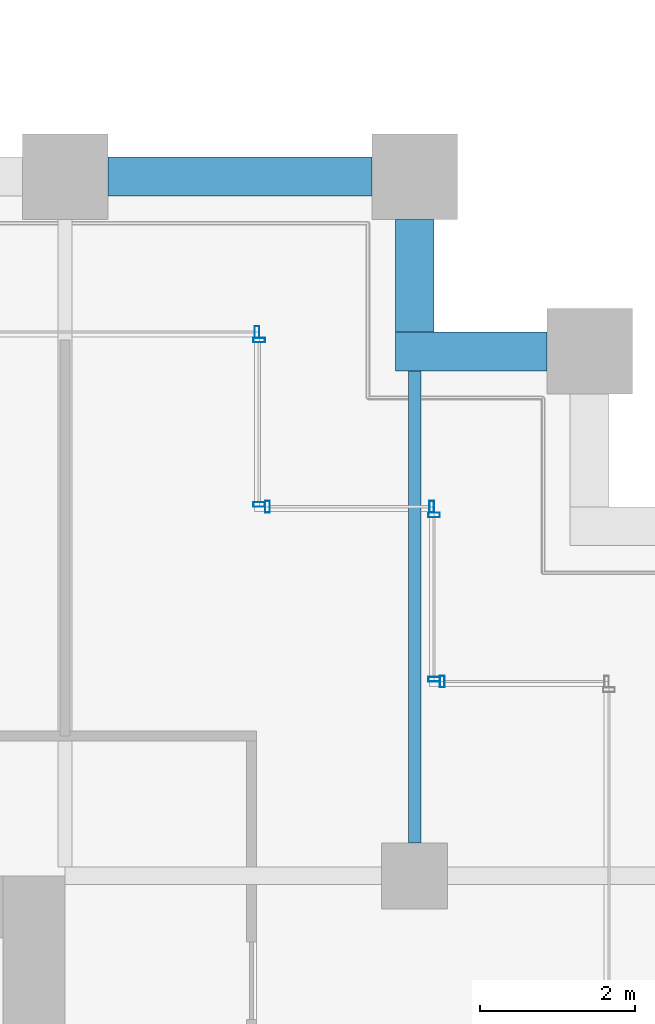
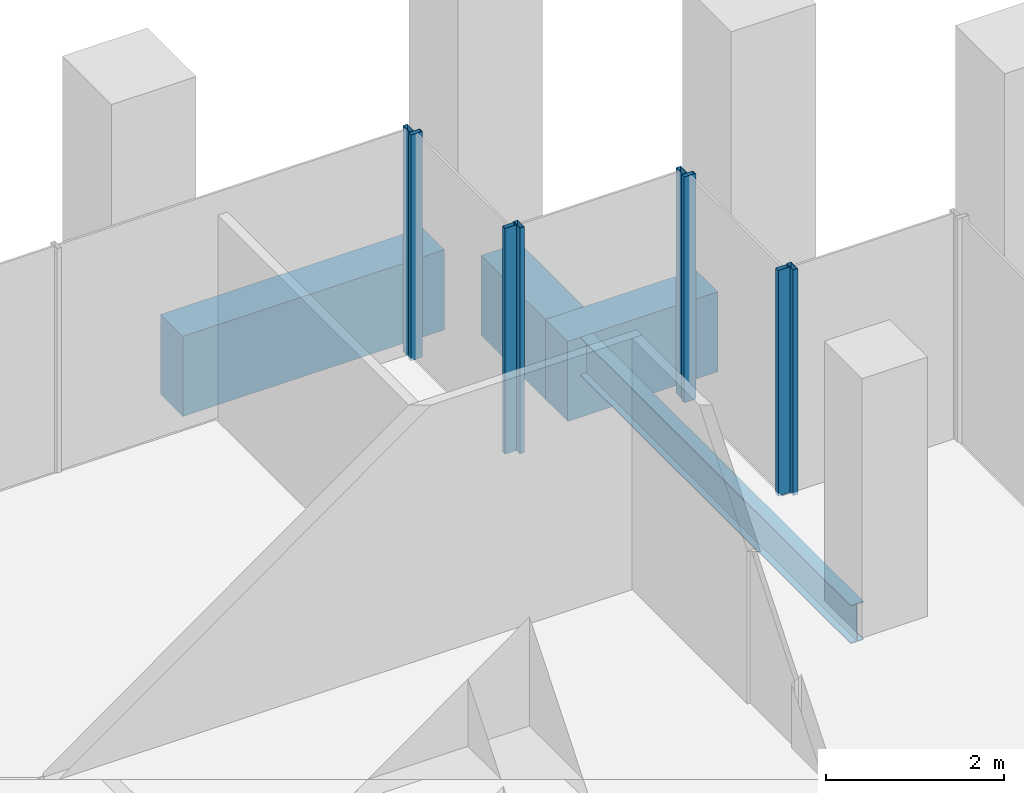
# One storey, part 45 of 54: 8 members, 4 beams, 5 elements without a shape of their own.
"""IFC4 building model written with IfcOpenShell, lengths in metres."""

from ifc_helpers import new_model, si_unit, direction, frame, origin, origin_2d, place, context, subcontext, project, spatial, rectangle, hollow_rectangle, i_section, extrude, material, material_profile, profile_set, type_object, element, aggregate, save


model = new_model("IFC4")

# Units and contexts
model_context = context("Model", 3, precision=1e-05, world=origin(), true_north=direction((0.0, 1.0)))
body_context = subcontext(model_context, "Body", "Model", "MODEL_VIEW")
ifc_project = project(units=[si_unit("LENGTHUNIT", "METRE"), si_unit("AREAUNIT", "SQUARE_METRE"), si_unit("VOLUMEUNIT", "CUBIC_METRE"), si_unit("PLANEANGLEUNIT", "RADIAN"), si_unit("MASSUNIT", "GRAM", prefix="KILO")], contexts=[model_context])

# Site, building, storey
site_placement = place(None, origin())
site = spatial("IfcSite", under=ifc_project, at=site_placement, CompositionType="ELEMENT")
building_placement = place(site_placement, origin())
building = spatial("IfcBuilding", under=site, at=building_placement, Name="Altepetl Exchange Towers", CompositionType="ELEMENT")
storey_placement = place(building_placement, frame((0.0, 0.0, 65.39990234375)))
storey = spatial("IfcBuildingStorey", under=building, at=storey_placement, Name="L15", CompositionType="ELEMENT", Elevation=65.39990234375)

# Beam
ifc_material_1 = material(Name="Steel S355", Category="steel")
ifc_material_profile_1 = material_profile(ifc_material_1, i_section(OverallWidth=0.166015625, OverallDepth=0.529052734375, WebThickness=0.009765625, FlangeThickness=0.013671875, at=origin_2d()), Name="W21X50")
ifc_profile_set_1 = profile_set([ifc_material_profile_1], Name="Steel S355")
beam_type_1 = type_object("IfcBeamType", Name="Floor beam W21X50", PredefinedType="BEAM", material=ifc_profile_set_1)
beam_1_placement = place(storey_placement, frame((121.5, 49.925048828125, -0.414306640625), z_axis=(0.0, 1.0, 0.0), x_axis=(-1.0, 0.0, 0.0)))
element("IfcBeam", 1, at=beam_1_placement, inside=storey, type_object=beam_type_1, Name="bm:B:L15:003", PredefinedType="BEAM", context=body_context, shape_type="SweptSolid", body=[
    extrude(i_section(OverallWidth=0.166015625, OverallDepth=0.529052734375, WebThickness=0.009765625, FlangeThickness=0.013671875, at=origin_2d()), origin(), (0.0, 0.0, 1.0), 6.074951171875),
])

# Curtain wall, member
ifc_material_2 = material(Name="Aluminium 6063-T6 glazing", Category="aluminium")
curtain_wall_type = type_object("IfcCurtainWallType", Name="Loggia glazing system", PredefinedType="NOTDEFINED", material=ifc_material_2)
curtain_wall_1_placement = place(storey_placement, origin())
curtain_wall_1 = element("IfcCurtainWall", 2, at=curtain_wall_1_placement, inside=storey, type_object=curtain_wall_type, Name="CW1 run", PredefinedType="NOTDEFINED")
ifc_material_3 = material(Name="Aluminium 6063-T6", Category="aluminium")
ifc_material_profile_2 = material_profile(ifc_material_3, hollow_rectangle(XDim=0.06005859375, YDim=0.14990234375, WallThickness=0.0029296875, at=origin_2d()), Name="Mullion 60x150 aluminium")
ifc_profile_set_2 = profile_set([ifc_material_profile_2], Name="Aluminium 6063-T6")
member_type = type_object("IfcMemberType", Name="Mullion 60x150 aluminium", PredefinedType="MULLION", material=ifc_profile_set_2)
member_1_placement = place(storey_placement, frame((121.85498046875, 52.0, 0.0), z_axis=(0.0, 0.0, 1.0), x_axis=(-1.0, 0.0, 0.0)))
member_1 = element("IfcMember", 3, at=member_1_placement, type_object=member_type, Name="MU1 mullion", PredefinedType="MULLION", context=body_context, shape_type="SweptSolid", body=[
    extrude(hollow_rectangle(XDim=0.06005859375, YDim=0.14990234375, WallThickness=0.0029296875, at=origin_2d()), origin(), (0.0, 0.0, 1.0), 3.10009765625),
])
aggregate(curtain_wall_1, [member_1])

# Curtain wall, members
curtain_wall_2_placement = place(storey_placement, origin())
curtain_wall_2 = element("IfcCurtainWall", 4, at=curtain_wall_2_placement, inside=storey, type_object=curtain_wall_type, Name="CW1 run", PredefinedType="NOTDEFINED")
member_2_placement = place(storey_placement, frame((121.75, 52.030029296875, 0.0), z_axis=(0.0, 0.0, 1.0), x_axis=(0.0, 1.0, 0.0)))
member_2 = element("IfcMember", 5, at=member_2_placement, type_object=member_type, Name="MU1 mullion", PredefinedType="MULLION", context=body_context, shape_type="SweptSolid", body=[
    extrude(hollow_rectangle(XDim=0.06005859375, YDim=0.14990234375, WallThickness=0.0029296875, at=origin_2d()), origin(), (0.0, 0.0, 1.0), 3.10009765625),
])
member_3_placement = place(storey_placement, frame((121.75, 54.14501953125, 0.0), z_axis=(0.0, 0.0, 1.0), x_axis=(0.0, 1.0, 0.0)))
member_3 = element("IfcMember", 6, at=member_3_placement, type_object=member_type, Name="MU1 mullion", PredefinedType="MULLION", context=body_context, shape_type="SweptSolid", body=[
    extrude(hollow_rectangle(XDim=0.06005859375, YDim=0.14990234375, WallThickness=0.0029296875, at=origin_2d()), origin(), (0.0, 0.0, 1.0), 3.10009765625),
])
aggregate(curtain_wall_2, [member_2, member_3])

curtain_wall_3_placement = place(storey_placement, origin())
curtain_wall_3 = element("IfcCurtainWall", 7, at=curtain_wall_3_placement, inside=storey, type_object=curtain_wall_type, Name="CW1 run", PredefinedType="NOTDEFINED")
member_4_placement = place(storey_placement, frame((121.719970703125, 54.25, 0.0), z_axis=(0.0, 0.0, 1.0), x_axis=(-1.0, 0.0, 0.0)))
member_4 = element("IfcMember", 8, at=member_4_placement, type_object=member_type, Name="MU1 mullion", PredefinedType="MULLION", context=body_context, shape_type="SweptSolid", body=[
    extrude(hollow_rectangle(XDim=0.06005859375, YDim=0.14990234375, WallThickness=0.0029296875, at=origin_2d()), origin(), (0.0, 0.0, 1.0), 3.10009765625),
])
member_5_placement = place(storey_placement, frame((119.60498046875, 54.25, 0.0), z_axis=(0.0, 0.0, 1.0), x_axis=(-1.0, 0.0, 0.0)))
member_5 = element("IfcMember", 9, at=member_5_placement, type_object=member_type, Name="MU1 mullion", PredefinedType="MULLION", context=body_context, shape_type="SweptSolid", body=[
    extrude(hollow_rectangle(XDim=0.06005859375, YDim=0.14990234375, WallThickness=0.0029296875, at=origin_2d()), origin(), (0.0, 0.0, 1.0), 3.10009765625),
])
aggregate(curtain_wall_3, [member_4, member_5])

curtain_wall_4_placement = place(storey_placement, origin())
curtain_wall_4 = element("IfcCurtainWall", 10, at=curtain_wall_4_placement, inside=storey, type_object=curtain_wall_type, Name="CW1 run", PredefinedType="NOTDEFINED")
member_6_placement = place(storey_placement, frame((119.5, 54.280029296875, 0.0), z_axis=(0.0, 0.0, 1.0), x_axis=(0.0, 1.0, 0.0)))
member_6 = element("IfcMember", 11, at=member_6_placement, type_object=member_type, Name="MU1 mullion", PredefinedType="MULLION", context=body_context, shape_type="SweptSolid", body=[
    extrude(hollow_rectangle(XDim=0.06005859375, YDim=0.14990234375, WallThickness=0.0029296875, at=origin_2d()), origin(), (0.0, 0.0, 1.0), 3.10009765625),
])
member_7_placement = place(storey_placement, frame((119.5, 56.39501953125, 0.0), z_axis=(0.0, 0.0, 1.0), x_axis=(0.0, 1.0, 0.0)))
member_7 = element("IfcMember", 12, at=member_7_placement, type_object=member_type, Name="MU1 mullion", PredefinedType="MULLION", context=body_context, shape_type="SweptSolid", body=[
    extrude(hollow_rectangle(XDim=0.06005859375, YDim=0.14990234375, WallThickness=0.0029296875, at=origin_2d()), origin(), (0.0, 0.0, 1.0), 3.10009765625),
])
aggregate(curtain_wall_4, [member_6, member_7])

# Curtain wall, member
curtain_wall_5_placement = place(storey_placement, origin())
curtain_wall_5 = element("IfcCurtainWall", 13, at=curtain_wall_5_placement, inside=storey, type_object=curtain_wall_type, Name="CW1 run", PredefinedType="NOTDEFINED")
member_8_placement = place(storey_placement, frame((119.469970703125, 56.5, 0.0), z_axis=(0.0, 0.0, 1.0), x_axis=(-1.0, 0.0, 0.0)))
member_8 = element("IfcMember", 14, at=member_8_placement, type_object=member_type, Name="MU1 mullion", PredefinedType="MULLION", context=body_context, shape_type="SweptSolid", body=[
    extrude(hollow_rectangle(XDim=0.06005859375, YDim=0.14990234375, WallThickness=0.0029296875, at=origin_2d()), origin(), (0.0, 0.0, 1.0), 3.10009765625),
])
aggregate(curtain_wall_5, [member_8])

# Beams
ifc_material_4 = material(Name="Concrete C50/60 precast with cantera amarilla facing", Category="concrete")
ifc_material_profile_3 = material_profile(ifc_material_4, rectangle(XDim=0.5, YDim=1.10009765625, at=origin_2d()), Name="500 x 1100")
ifc_profile_set_3 = profile_set([ifc_material_profile_3], Name="Concrete C50/60 precast with cantera amarilla facing")
beam_type_2 = type_object("IfcBeamType", Name="Spandrel beam 500x1100 cantera amarilla", PredefinedType="SPANDREL", material=ifc_profile_set_3)
beam_2_placement = place(storey_placement, frame((123.199951171875, 56.25, -0.699951171875), z_axis=(-1.0, 0.0, 0.0), x_axis=(0.0, -1.0, 0.0)))
element("IfcBeam", 15, at=beam_2_placement, inside=storey, type_object=beam_type_2, Name="sp:B:L15:016", PredefinedType="SPANDREL", context=body_context, shape_type="SweptSolid", body=[
    extrude(rectangle(XDim=0.5, YDim=1.10009765625, at=origin_2d()), origin(), (0.0, 0.0, 1.0), 1.949951171875),
])
beam_3_placement = place(storey_placement, frame((121.5, 56.5, -0.699951171875), z_axis=(0.0, 1.0, 0.0), x_axis=(-1.0, 0.0, 0.0)))
element("IfcBeam", 16, at=beam_3_placement, inside=storey, type_object=beam_type_2, Name="sp:B:L15:017", PredefinedType="SPANDREL", context=body_context, shape_type="SweptSolid", body=[
    extrude(rectangle(XDim=0.5, YDim=1.10009765625, at=origin_2d()), origin(), (0.0, 0.0, 1.0), 1.449951171875),
])
beam_4_placement = place(storey_placement, frame((120.949951171875, 58.5, -0.699951171875), z_axis=(-1.0, 0.0, 0.0), x_axis=(0.0, -1.0, 0.0)))
element("IfcBeam", 17, at=beam_4_placement, inside=storey, type_object=beam_type_2, Name="sp:B:L15:018", PredefinedType="SPANDREL", context=body_context, shape_type="SweptSolid", body=[
    extrude(rectangle(XDim=0.5, YDim=1.10009765625, at=origin_2d()), origin(), (0.0, 0.0, 1.0), 3.39990234375),
])

save(model, "model.ifc")
